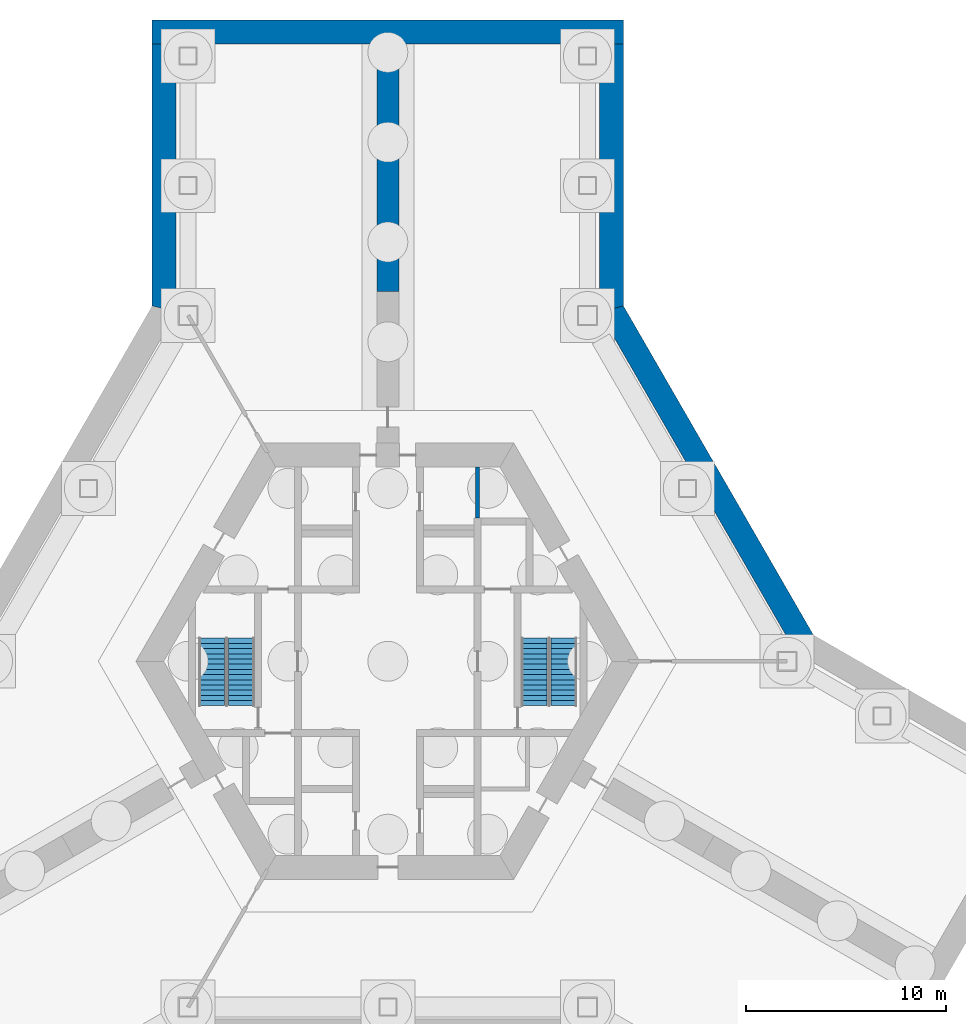
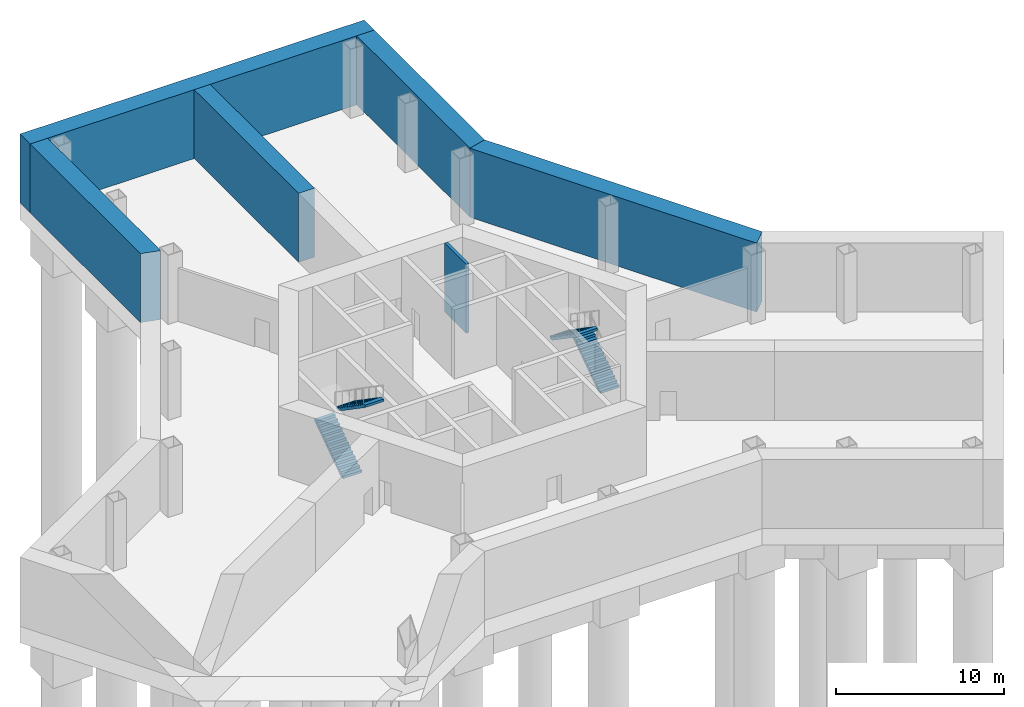
# One storey, part 4 of 5: 6 walls, 4 stair flights, 2 elements without a shape of their own.
"""IFC4 building model written with IfcOpenShell, lengths in metres."""

from ifc_helpers import new_model, si_unit, direction, frame, frame_2d, origin, place, context, subcontext, project, spatial, polyline, rectangle, outline, extrude, material, layer, layer_set, type_object, element, aggregate, save


model = new_model("IFC4")

# Units and contexts
model_context = context("Model", 3, precision=1e-05, world=origin(), true_north=direction((0.0, 1.0)))
body_context = subcontext(model_context, "Body", "Model", "MODEL_VIEW")
ifc_project = project(units=[si_unit("LENGTHUNIT", "METRE"), si_unit("AREAUNIT", "SQUARE_METRE"), si_unit("VOLUMEUNIT", "CUBIC_METRE"), si_unit("PLANEANGLEUNIT", "RADIAN"), si_unit("MASSUNIT", "GRAM", prefix="KILO")], contexts=[model_context])

# Site, building, storey
site_placement = place(None, origin())
site = spatial("IfcSite", under=ifc_project, at=site_placement, CompositionType="ELEMENT")
building_placement = place(site_placement, origin())
building = spatial("IfcBuilding", under=site, at=building_placement, Name="Kasaneha Research Tower", CompositionType="ELEMENT")
storey_placement = place(building_placement, frame((0.0, 0.0, -10.0)))
storey = spatial("IfcBuildingStorey", under=building, at=storey_placement, Name="B2", CompositionType="ELEMENT", Elevation=-10.0)

# Walls
ifc_material_1 = material(Name="Concrete Fc60", Category="concrete")
ifc_layer_1 = layer(ifc_material_1, 1.199951171875)
ifc_layer_set_1 = layer_set([ifc_layer_1], Name="Basement retaining wall 1200 Fc60")
wall_type_1 = type_object("IfcWallType", Name="Basement retaining wall 1200 Fc60", PredefinedType="SOLIDWALL", material=ifc_layer_set_1)
wall_1_placement = place(storey_placement, frame((-11.199951171875, 17.64208984375, 0.0), z_axis=(0.0, 0.0, 1.0), x_axis=(0.0, 1.0, 0.0)))
element("IfcWall", 1, at=wall_1_placement, inside=storey, type_object=wall_type_1, Name="Retaining wall 3 B2", PredefinedType="SOLIDWALL", context=body_context, shape_type="SweptSolid", body=[
    extrude(outline(polyline([(-0.160888671875, -0.60009765625), (13.2783203125, -0.60009765625), (13.2783203125, 0.60009765625), (0.160888671875, 0.60009765625), (-0.160888671875, -0.60009765625)])), origin(), (0.0, 0.0, 1.0), 5.0),
])
wall_2_placement = place(storey_placement, frame((-11.800048828125, 31.5205078125, 0.0), z_axis=(0.0, 0.0, 1.0), x_axis=(1.0, 0.0, 0.0)))
element("IfcWall", 2, at=wall_2_placement, inside=storey, type_object=wall_type_1, Name="Retaining wall 4 B2", PredefinedType="SOLIDWALL", context=body_context, shape_type="SweptSolid", body=[
    extrude(rectangle(XDim=23.60009765625, YDim=1.199951171875, at=frame_2d((11.800048828125, 0.0))), origin(), (0.0, 0.0, 1.0), 5.0),
])
wall_3_placement = place(storey_placement, frame((11.199951171875, 30.92041015625, 0.0), z_axis=(0.0, 0.0, 1.0), x_axis=(0.0, -1.0, 0.0)))
element("IfcWall", 3, at=wall_3_placement, inside=storey, type_object=wall_type_1, Name="Retaining wall 5 B2", PredefinedType="SOLIDWALL", context=body_context, shape_type="SweptSolid", body=[
    extrude(outline(polyline([(0.0, -0.60009765625), (13.439208984375, -0.60009765625), (13.117431640625, 0.60009765625), (0.0, 0.60009765625), (0.0, -0.60009765625)])), origin(), (0.0, 0.0, 1.0), 5.0),
])
wall_4_placement = place(storey_placement, frame((11.199951171875, 17.64208984375, 0.0), z_axis=(0.0, 0.0, 1.0), x_axis=(0.499998307868, -0.866026380735, 0.0)))
element("IfcWall", 4, at=wall_4_placement, inside=storey, type_object=wall_type_1, Name="Retaining wall 6 B2", PredefinedType="SOLIDWALL", context=body_context, shape_type="SweptSolid", body=[
    extrude(outline(polyline([(-0.160888671875, -0.60009765625), (19.517822265625, -0.60009765625), (19.196044921875, 0.60009765625), (0.160888671875, 0.60009765625), (-0.160888671875, -0.60009765625)])), origin(), (0.0, 0.0, 1.0), 5.0),
])
ifc_material_2 = material(Name="Concrete block", Category="concrete")
ifc_layer_2 = layer(ifc_material_2, 0.199951171875)
ifc_layer_set_2 = layer_set([ifc_layer_2], Name="Riser enclosure wall 200")
wall_type_2 = type_object("IfcWallType", Name="Riser enclosure wall 200", PredefinedType="STANDARD", material=ifc_layer_set_2)
wall_5_placement = place(storey_placement, frame((4.5, 7.175048828125, 0.0), z_axis=(0.0, 0.0, 1.0), x_axis=(0.0, 1.0, 0.0)))
element("IfcWall", 5, at=wall_5_placement, inside=storey, type_object=wall_type_2, Name="Riser enclosure wall B2", PredefinedType="STANDARD", context=body_context, shape_type="SweptSolid", body=[
    extrude(rectangle(XDim=2.550048828125, YDim=0.199951171875, at=frame_2d((1.27490234375, 0.0))), origin(), (0.0, 0.0, 1.0), 5.0),
])
ifc_material_3 = material(Name="Concrete Fc100", Category="concrete")
ifc_layer_3 = layer(ifc_material_3, 1.10009765625)
ifc_layer_set_3 = layer_set([ifc_layer_3], Name="Spine wall 1100 Fc100")
wall_type_3 = type_object("IfcWallType", Name="Spine wall 1100 Fc100", PredefinedType="SHEAR", material=ifc_layer_set_3)
wall_6_placement = place(storey_placement, frame((0.0, 18.5205078125, 0.0), z_axis=(0.0, 0.0, 1.0), x_axis=(0.0, 1.0, 0.0)))
element("IfcWall", 6, at=wall_6_placement, inside=storey, type_object=wall_type_3, Name="Spine wall A wing B2", PredefinedType="SHEAR", context=body_context, shape_type="SweptSolid", body=[
    extrude(rectangle(XDim=12.39990234375, YDim=1.10009765625, at=frame_2d((6.199951171875, 0.0))), origin(), (0.0, 0.0, 1.0), 5.0),
])

# Stair, stair flights
ifc_material_4 = material(Name="Concrete Fc24", Category="concrete")
stair_type = type_object("IfcStairType", Name="Half-turn stair 28 risers", PredefinedType="HALF_TURN_STAIR", material=ifc_material_4)
stair_1_placement = place(storey_placement, origin())
stair_1 = element("IfcStair", 7, at=stair_1_placement, inside=storey, type_object=stair_type, Name="Stair 1 B2", PredefinedType="HALF_TURN_STAIR")
ifc_material_5 = material(Name="Concrete Fc24", Category="concrete")
stair_flight_type = type_object("IfcStairFlightType", Name="Stair flight 14 risers 178.6", PredefinedType="STRAIGHT", material=ifc_material_5)
stair_flight_1_placement = place(storey_placement, frame((8.824951171875, -2.22509765625, 0.0), z_axis=(0.0, 0.0, 1.0), x_axis=(0.0, 1.0, 0.0)))
stair_flight_1 = element("IfcStairFlight", 8, at=stair_flight_1_placement, type_object=stair_flight_type, Name="ST1-28R flight 1", NumberOfRisers=14, NumberOfTreads=13, PredefinedType="STRAIGHT", RiserHeight=0.178571429, TreadLength=0.26, context=body_context, shape_type="SweptSolid", body=[
    extrude(outline(polyline([(0.0, 0.0), (0.0, 0.178466796875), (0.260009765625, 0.178466796875), (0.260009765625, 0.357177734375), (0.52001953125, 0.357177734375), (0.52001953125, 0.53564453125), (0.780029296875, 0.53564453125), (0.780029296875, 0.71435546875), (1.0400390625, 0.71435546875), (1.0400390625, 0.892822265625), (1.300048828125, 0.892822265625), (1.300048828125, 1.071533203125), (1.56005859375, 1.071533203125), (1.56005859375, 1.25), (1.820068359375, 1.25), (1.820068359375, 1.428466796875), (2.080078125, 1.428466796875), (2.080078125, 1.607177734375), (2.340087890625, 1.607177734375), (2.340087890625, 1.78564453125), (2.60009765625, 1.78564453125), (2.60009765625, 1.96435546875), (2.860107421875, 1.96435546875), (2.860107421875, 2.142822265625), (3.1201171875, 2.142822265625), (3.1201171875, 2.321533203125), (3.3798828125, 2.321533203125), (3.3798828125, 2.5), (3.3798828125, 2.1396484375), (0.264892578125, 0.0), (0.0, 0.0)])), frame((0.0, 0.64990234375, 0.0), z_axis=(0.0, -1.0, 0.0), x_axis=(1.0, 0.0, 0.0)), (0.0, 0.0, 1.0), 1.300048828125),
])
stair_flight_2_placement = place(storey_placement, frame((7.324951171875, 1.155029296875, 2.5), z_axis=(0.0, 0.0, 1.0), x_axis=(0.0, -1.0, 0.0)))
stair_flight_2 = element("IfcStairFlight", 9, at=stair_flight_2_placement, type_object=stair_flight_type, Name="ST1-28R flight 2", NumberOfRisers=14, NumberOfTreads=13, PredefinedType="STRAIGHT", RiserHeight=0.178571429, TreadLength=0.26, context=body_context, shape_type="SweptSolid", body=[
    extrude(outline(polyline([(0.0, 0.0), (0.0, 0.178466796875), (0.260009765625, 0.178466796875), (0.260009765625, 0.357177734375), (0.52001953125, 0.357177734375), (0.52001953125, 0.53564453125), (0.780029296875, 0.53564453125), (0.780029296875, 0.71435546875), (1.0400390625, 0.71435546875), (1.0400390625, 0.892822265625), (1.300048828125, 0.892822265625), (1.300048828125, 1.071533203125), (1.56005859375, 1.071533203125), (1.56005859375, 1.25), (1.820068359375, 1.25), (1.820068359375, 1.428466796875), (2.080078125, 1.428466796875), (2.080078125, 1.607177734375), (2.340087890625, 1.607177734375), (2.340087890625, 1.78564453125), (2.60009765625, 1.78564453125), (2.60009765625, 1.96435546875), (2.860107421875, 1.96435546875), (2.860107421875, 2.142822265625), (3.1201171875, 2.142822265625), (3.1201171875, 2.321533203125), (3.3798828125, 2.321533203125), (3.3798828125, 2.5), (3.3798828125, 2.1396484375), (0.264892578125, 0.0), (0.0, 0.0)])), frame((0.0, 0.64990234375, 0.0), z_axis=(0.0, -1.0, 0.0), x_axis=(1.0, 0.0, 0.0)), (0.0, 0.0, 1.0), 1.300048828125),
])
aggregate(stair_1, [stair_flight_1, stair_flight_2])

stair_2_placement = place(storey_placement, origin())
stair_2 = element("IfcStair", 10, at=stair_2_placement, inside=storey, type_object=stair_type, Name="Stair 2 B2", PredefinedType="HALF_TURN_STAIR")
stair_flight_3_placement = place(storey_placement, frame((-8.824951171875, -2.22509765625, 0.0), z_axis=(0.0, 0.0, 1.0), x_axis=(0.0, 1.0, 0.0)))
stair_flight_3 = element("IfcStairFlight", 11, at=stair_flight_3_placement, type_object=stair_flight_type, Name="ST2-28R flight 1", NumberOfRisers=14, NumberOfTreads=13, PredefinedType="STRAIGHT", RiserHeight=0.178571429, TreadLength=0.26, context=body_context, shape_type="SweptSolid", body=[
    extrude(outline(polyline([(0.0, 0.0), (0.0, 0.178466796875), (0.260009765625, 0.178466796875), (0.260009765625, 0.357177734375), (0.52001953125, 0.357177734375), (0.52001953125, 0.53564453125), (0.780029296875, 0.53564453125), (0.780029296875, 0.71435546875), (1.0400390625, 0.71435546875), (1.0400390625, 0.892822265625), (1.300048828125, 0.892822265625), (1.300048828125, 1.071533203125), (1.56005859375, 1.071533203125), (1.56005859375, 1.25), (1.820068359375, 1.25), (1.820068359375, 1.428466796875), (2.080078125, 1.428466796875), (2.080078125, 1.607177734375), (2.340087890625, 1.607177734375), (2.340087890625, 1.78564453125), (2.60009765625, 1.78564453125), (2.60009765625, 1.96435546875), (2.860107421875, 1.96435546875), (2.860107421875, 2.142822265625), (3.1201171875, 2.142822265625), (3.1201171875, 2.321533203125), (3.3798828125, 2.321533203125), (3.3798828125, 2.5), (3.3798828125, 2.1396484375), (0.264892578125, 0.0), (0.0, 0.0)])), frame((0.0, 0.64990234375, 0.0), z_axis=(0.0, -1.0, 0.0), x_axis=(1.0, 0.0, 0.0)), (0.0, 0.0, 1.0), 1.300048828125),
])
stair_flight_4_placement = place(storey_placement, frame((-7.324951171875, 1.155029296875, 2.5), z_axis=(0.0, 0.0, 1.0), x_axis=(0.0, -1.0, 0.0)))
stair_flight_4 = element("IfcStairFlight", 12, at=stair_flight_4_placement, type_object=stair_flight_type, Name="ST2-28R flight 2", NumberOfRisers=14, NumberOfTreads=13, PredefinedType="STRAIGHT", RiserHeight=0.178571429, TreadLength=0.26, context=body_context, shape_type="SweptSolid", body=[
    extrude(outline(polyline([(0.0, 0.0), (0.0, 0.178466796875), (0.260009765625, 0.178466796875), (0.260009765625, 0.357177734375), (0.52001953125, 0.357177734375), (0.52001953125, 0.53564453125), (0.780029296875, 0.53564453125), (0.780029296875, 0.71435546875), (1.0400390625, 0.71435546875), (1.0400390625, 0.892822265625), (1.300048828125, 0.892822265625), (1.300048828125, 1.071533203125), (1.56005859375, 1.071533203125), (1.56005859375, 1.25), (1.820068359375, 1.25), (1.820068359375, 1.428466796875), (2.080078125, 1.428466796875), (2.080078125, 1.607177734375), (2.340087890625, 1.607177734375), (2.340087890625, 1.78564453125), (2.60009765625, 1.78564453125), (2.60009765625, 1.96435546875), (2.860107421875, 1.96435546875), (2.860107421875, 2.142822265625), (3.1201171875, 2.142822265625), (3.1201171875, 2.321533203125), (3.3798828125, 2.321533203125), (3.3798828125, 2.5), (3.3798828125, 2.1396484375), (0.264892578125, 0.0), (0.0, 0.0)])), frame((0.0, 0.64990234375, 0.0), z_axis=(0.0, -1.0, 0.0), x_axis=(1.0, 0.0, 0.0)), (0.0, 0.0, 1.0), 1.300048828125),
])
aggregate(stair_2, [stair_flight_3, stair_flight_4])

save(model, "model.ifc")
